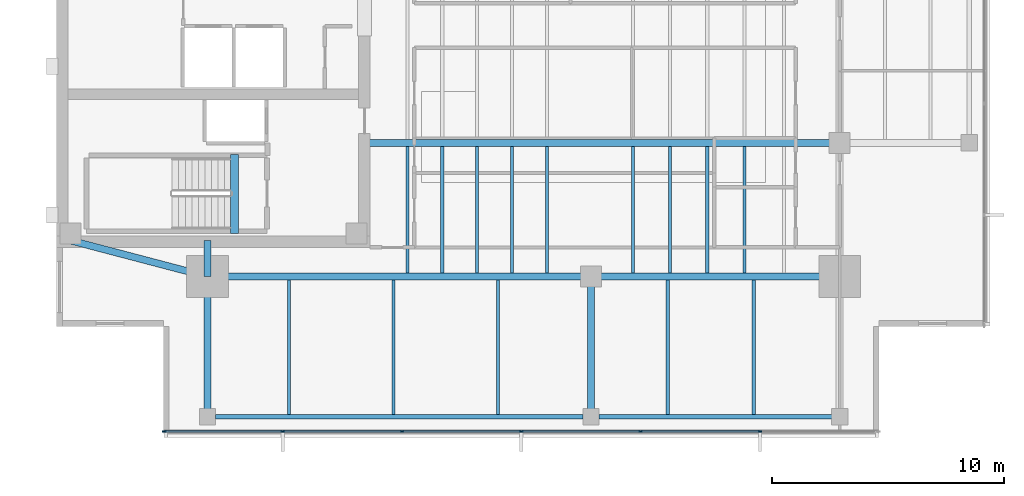
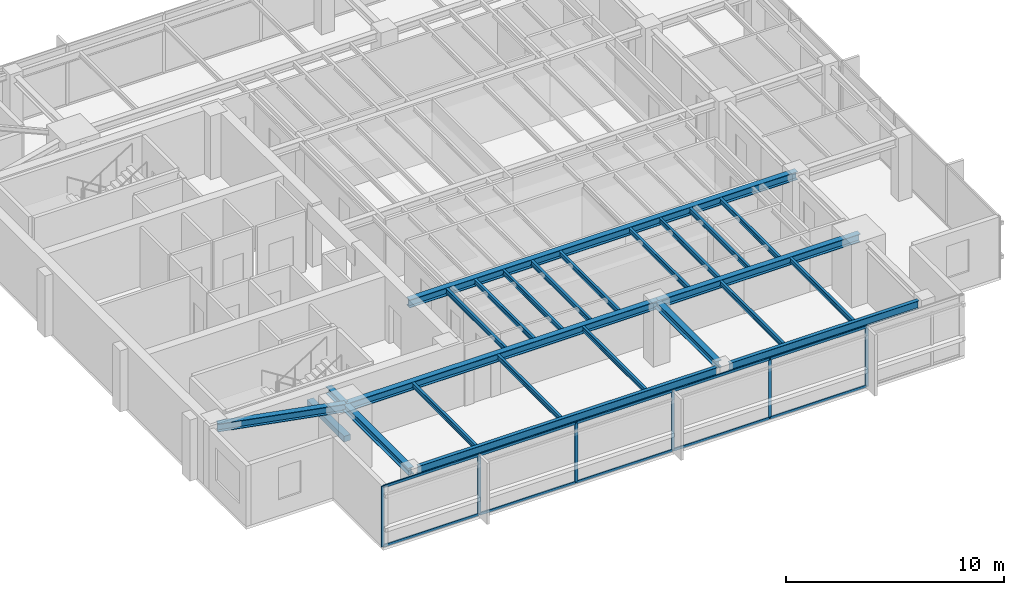
# One storey, part 2 of 14: 24 beams, 16 members, 1 element without a shape of its own.
"""IFC4 building model written with IfcOpenShell, lengths in metres."""

from ifc_helpers import new_model, si_unit, direction, frame, origin, origin_2d, place, context, subcontext, project, spatial, rectangle, i_section, extrude, material, layer, layer_set, material_profile, profile_set, type_object, element, aggregate, save


model = new_model("IFC4")

# Units and contexts
model_context = context("Model", 3, precision=1e-05, world=origin(), true_north=direction((0.0, 1.0)))
body_context = subcontext(model_context, "Body", "Model", "MODEL_VIEW")
ifc_project = project(units=[si_unit("LENGTHUNIT", "METRE"), si_unit("AREAUNIT", "SQUARE_METRE"), si_unit("VOLUMEUNIT", "CUBIC_METRE"), si_unit("PLANEANGLEUNIT", "RADIAN"), si_unit("MASSUNIT", "GRAM", prefix="KILO")], contexts=[model_context])

# Site, building, storey
site_placement = place(None, origin())
site = spatial("IfcSite", under=ifc_project, at=site_placement, CompositionType="ELEMENT")
building_placement = place(site_placement, origin())
building = spatial("IfcBuilding", under=site, at=building_placement, Name="Kinhvarn Gate Tower", CompositionType="ELEMENT")
storey_placement = place(building_placement, frame((0.0, 0.0, 252.800048828125)))
storey = spatial("IfcBuildingStorey", under=building, at=storey_placement, Name="L67", CompositionType="ELEMENT", Elevation=252.800048828125)

# Beam
ifc_material_1 = material(Name="Concrete C50/60", Category="concrete")
ifc_material_profile_1 = material_profile(ifc_material_1, rectangle(XDim=0.340087890625, YDim=0.320068359375, at=origin_2d()), Name="RC 340x320")
ifc_profile_set_1 = profile_set([ifc_material_profile_1], Name="Concrete C50/60")
beam_type_1 = type_object("IfcBeamType", Name="BM-LND-500", PredefinedType="BEAM", material=ifc_profile_set_1)
beam_1_placement = place(storey_placement, frame((12.1650390625, 14.60009765625, -0.16015625), z_axis=(0.0, 1.0, 0.0), x_axis=(-1.0, 0.0, 0.0)))
element("IfcBeam", 1, at=beam_1_placement, inside=storey, type_object=beam_type_1, Name="Stair ST1 Landing Nosing Beam (L67)", PredefinedType="BEAM", context=body_context, shape_type="SweptSolid", body=[
    extrude(rectangle(XDim=0.340087890625, YDim=0.320068359375, at=origin_2d()), origin(), (0.0, 0.0, 1.0), 3.39990234375),
])

# Curtain wall, members
ifc_material_2 = material(Name="Anodised aluminium AW-6063", Category="aluminium")
ifc_layer = layer(ifc_material_2, 0.179931640625)
ifc_layer_set = layer_set([ifc_layer], Name="Anodised aluminium AW-6063")
curtain_wall_type = type_object("IfcCurtainWallType", Name="CW-SYS-3", PredefinedType="NOTDEFINED", material=ifc_layer_set)
curtain_wall_placement = place(storey_placement, origin())
curtain_wall = element("IfcCurtainWall", 2, at=curtain_wall_placement, inside=storey, type_object=curtain_wall_type, Name="Curtain Wall CW3 (L67)", PredefinedType="NOTDEFINED")
ifc_material_profile_2 = material_profile(ifc_material_2, rectangle(XDim=0.06494140625, YDim=0.159912109375, at=origin_2d()), Name="ALU 65x160")
ifc_profile_set_2 = profile_set([ifc_material_profile_2], Name="Anodised aluminium AW-6063")
member_type_1 = type_object("IfcMemberType", Name="CW-MUL-160", PredefinedType="MULLION", material=ifc_profile_set_2)
member_1_placement = place(storey_placement, frame((9.132568359375, 6.090087890625, 0.0), z_axis=(0.0, 0.0, 1.0), x_axis=(0.0, 1.0, 0.0)))
member_1 = element("IfcMember", 3, at=member_1_placement, type_object=member_type_1, Name="CW3 mullion 1", PredefinedType="MULLION", context=body_context, shape_type="SweptSolid", body=[
    extrude(rectangle(XDim=0.06494140625, YDim=0.159912109375, at=origin_2d()), origin(), (0.0, 0.0, 1.0), 3.389892578125),
])
member_2_placement = place(storey_placement, frame((14.2333984375, 6.090087890625, 0.0), z_axis=(0.0, 0.0, 1.0), x_axis=(0.0, 1.0, 0.0)))
member_2 = element("IfcMember", 4, at=member_2_placement, type_object=member_type_1, Name="CW3 mullion 2", PredefinedType="MULLION", context=body_context, shape_type="SweptSolid", body=[
    extrude(rectangle(XDim=0.06494140625, YDim=0.159912109375, at=origin_2d()), origin(), (0.0, 0.0, 1.0), 3.389892578125),
])
member_3_placement = place(storey_placement, frame((19.36669921875, 6.090087890625, 0.0), z_axis=(0.0, 0.0, 1.0), x_axis=(0.0, 1.0, 0.0)))
member_3 = element("IfcMember", 5, at=member_3_placement, type_object=member_type_1, Name="CW3 mullion 3", PredefinedType="MULLION", context=body_context, shape_type="SweptSolid", body=[
    extrude(rectangle(XDim=0.06494140625, YDim=0.159912109375, at=origin_2d()), origin(), (0.0, 0.0, 1.0), 3.389892578125),
])
member_4_placement = place(storey_placement, frame((24.5, 6.090087890625, 0.0), z_axis=(0.0, 0.0, 1.0), x_axis=(0.0, 1.0, 0.0)))
member_4 = element("IfcMember", 6, at=member_4_placement, type_object=member_type_1, Name="CW3 mullion 4", PredefinedType="MULLION", context=body_context, shape_type="SweptSolid", body=[
    extrude(rectangle(XDim=0.06494140625, YDim=0.159912109375, at=origin_2d()), origin(), (0.0, 0.0, 1.0), 3.389892578125),
])
member_5_placement = place(storey_placement, frame((29.63330078125, 6.090087890625, 0.0), z_axis=(0.0, 0.0, 1.0), x_axis=(0.0, 1.0, 0.0)))
member_5 = element("IfcMember", 7, at=member_5_placement, type_object=member_type_1, Name="CW3 mullion 5", PredefinedType="MULLION", context=body_context, shape_type="SweptSolid", body=[
    extrude(rectangle(XDim=0.06494140625, YDim=0.159912109375, at=origin_2d()), origin(), (0.0, 0.0, 1.0), 3.389892578125),
])
member_6_placement = place(storey_placement, frame((34.7666015625, 6.090087890625, 0.0), z_axis=(0.0, 0.0, 1.0), x_axis=(0.0, 1.0, 0.0)))
member_6 = element("IfcMember", 8, at=member_6_placement, type_object=member_type_1, Name="CW3 mullion 6", PredefinedType="MULLION", context=body_context, shape_type="SweptSolid", body=[
    extrude(rectangle(XDim=0.06494140625, YDim=0.159912109375, at=origin_2d()), origin(), (0.0, 0.0, 1.0), 3.389892578125),
])
ifc_material_profile_3 = material_profile(ifc_material_2, rectangle(XDim=0.070068359375, YDim=0.139892578125, at=origin_2d()), Name="ALU 70x140")
ifc_profile_set_3 = profile_set([ifc_material_profile_3], Name="Anodised aluminium AW-6063")
member_type_2 = type_object("IfcMemberType", Name="CW-TRN-140", PredefinedType="USERDEFINED", material=ifc_profile_set_3)
member_7_placement = place(storey_placement, frame((9.1650390625, 6.090087890625, 0.034912109375), z_axis=(1.0, 0.0, 0.0), x_axis=(0.0, 1.0, 0.0)))
member_7 = element("IfcMember", 9, at=member_7_placement, type_object=member_type_2, Name="CW3 transom 1.1", ObjectType="TRANSOM", PredefinedType="USERDEFINED", context=body_context, shape_type="SweptSolid", body=[
    extrude(rectangle(XDim=0.070068359375, YDim=0.139892578125, at=origin_2d()), origin(), (0.0, 0.0, 1.0), 5.035888671875),
])
member_8_placement = place(storey_placement, frame((9.1650390625, 6.090087890625, 3.35498046875), z_axis=(1.0, 0.0, 0.0), x_axis=(0.0, 1.0, 0.0)))
member_8 = element("IfcMember", 10, at=member_8_placement, type_object=member_type_2, Name="CW3 transom 1.2", ObjectType="TRANSOM", PredefinedType="USERDEFINED", context=body_context, shape_type="SweptSolid", body=[
    extrude(rectangle(XDim=0.070068359375, YDim=0.139892578125, at=origin_2d()), origin(), (0.0, 0.0, 1.0), 5.035888671875),
])
member_9_placement = place(storey_placement, frame((14.265869140625, 6.090087890625, 0.034912109375), z_axis=(1.0, 0.0, 0.0), x_axis=(0.0, 1.0, 0.0)))
member_9 = element("IfcMember", 11, at=member_9_placement, type_object=member_type_2, Name="CW3 transom 2.1", ObjectType="TRANSOM", PredefinedType="USERDEFINED", context=body_context, shape_type="SweptSolid", body=[
    extrude(rectangle(XDim=0.070068359375, YDim=0.139892578125, at=origin_2d()), origin(), (0.0, 0.0, 1.0), 5.068359375),
])
member_10_placement = place(storey_placement, frame((14.265869140625, 6.090087890625, 3.35498046875), z_axis=(1.0, 0.0, 0.0), x_axis=(0.0, 1.0, 0.0)))
member_10 = element("IfcMember", 12, at=member_10_placement, type_object=member_type_2, Name="CW3 transom 2.2", ObjectType="TRANSOM", PredefinedType="USERDEFINED", context=body_context, shape_type="SweptSolid", body=[
    extrude(rectangle(XDim=0.070068359375, YDim=0.139892578125, at=origin_2d()), origin(), (0.0, 0.0, 1.0), 5.068359375),
])
member_11_placement = place(storey_placement, frame((19.399169921875, 6.090087890625, 0.034912109375), z_axis=(1.0, 0.0, 0.0), x_axis=(0.0, 1.0, 0.0)))
member_11 = element("IfcMember", 13, at=member_11_placement, type_object=member_type_2, Name="CW3 transom 3.1", ObjectType="TRANSOM", PredefinedType="USERDEFINED", context=body_context, shape_type="SweptSolid", body=[
    extrude(rectangle(XDim=0.070068359375, YDim=0.139892578125, at=origin_2d()), origin(), (0.0, 0.0, 1.0), 5.068359375),
])
member_12_placement = place(storey_placement, frame((19.399169921875, 6.090087890625, 3.35498046875), z_axis=(1.0, 0.0, 0.0), x_axis=(0.0, 1.0, 0.0)))
member_12 = element("IfcMember", 14, at=member_12_placement, type_object=member_type_2, Name="CW3 transom 3.2", ObjectType="TRANSOM", PredefinedType="USERDEFINED", context=body_context, shape_type="SweptSolid", body=[
    extrude(rectangle(XDim=0.070068359375, YDim=0.139892578125, at=origin_2d()), origin(), (0.0, 0.0, 1.0), 5.068359375),
])
member_13_placement = place(storey_placement, frame((24.532470703125, 6.090087890625, 0.034912109375), z_axis=(1.0, 0.0, 0.0), x_axis=(0.0, 1.0, 0.0)))
member_13 = element("IfcMember", 15, at=member_13_placement, type_object=member_type_2, Name="CW3 transom 4.1", ObjectType="TRANSOM", PredefinedType="USERDEFINED", context=body_context, shape_type="SweptSolid", body=[
    extrude(rectangle(XDim=0.070068359375, YDim=0.139892578125, at=origin_2d()), origin(), (0.0, 0.0, 1.0), 5.068359375),
])
member_14_placement = place(storey_placement, frame((24.532470703125, 6.090087890625, 3.35498046875), z_axis=(1.0, 0.0, 0.0), x_axis=(0.0, 1.0, 0.0)))
member_14 = element("IfcMember", 16, at=member_14_placement, type_object=member_type_2, Name="CW3 transom 4.2", ObjectType="TRANSOM", PredefinedType="USERDEFINED", context=body_context, shape_type="SweptSolid", body=[
    extrude(rectangle(XDim=0.070068359375, YDim=0.139892578125, at=origin_2d()), origin(), (0.0, 0.0, 1.0), 5.068359375),
])
member_15_placement = place(storey_placement, frame((29.665771484375, 6.090087890625, 0.034912109375), z_axis=(1.0, 0.0, 0.0), x_axis=(0.0, 1.0, 0.0)))
member_15 = element("IfcMember", 17, at=member_15_placement, type_object=member_type_2, Name="CW3 transom 5.1", ObjectType="TRANSOM", PredefinedType="USERDEFINED", context=body_context, shape_type="SweptSolid", body=[
    extrude(rectangle(XDim=0.070068359375, YDim=0.139892578125, at=origin_2d()), origin(), (0.0, 0.0, 1.0), 5.068359375),
])
member_16_placement = place(storey_placement, frame((29.665771484375, 6.090087890625, 3.35498046875), z_axis=(1.0, 0.0, 0.0), x_axis=(0.0, 1.0, 0.0)))
member_16 = element("IfcMember", 18, at=member_16_placement, type_object=member_type_2, Name="CW3 transom 5.2", ObjectType="TRANSOM", PredefinedType="USERDEFINED", context=body_context, shape_type="SweptSolid", body=[
    extrude(rectangle(XDim=0.070068359375, YDim=0.139892578125, at=origin_2d()), origin(), (0.0, 0.0, 1.0), 5.068359375),
])
aggregate(curtain_wall, [member_1, member_2, member_3, member_4, member_5, member_6, member_7, member_8, member_9, member_10, member_11, member_12, member_13, member_14, member_15, member_16])

# Beams
ifc_material_3 = material(Name="Steel S355", Category="steel")
ifc_material_profile_4 = material_profile(ifc_material_3, i_section(OverallWidth=0.300048828125, OverallDepth=0.39990234375, WebThickness=0.013427734375, FlangeThickness=0.02392578125, at=origin_2d()), Name="HEB 400")
ifc_profile_set_4 = profile_set([ifc_material_profile_4], Name="Steel S355")
beam_type_2 = type_object("IfcBeamType", Name="STL-HEB400", PredefinedType="BEAM", material=ifc_profile_set_4)
beam_2_placement = place(storey_placement, frame((11.0, 6.719970703125, 3.18994140625), z_axis=(0.0, 1.0, 0.0), x_axis=(-1.0, 0.0, 0.0)))
element("IfcBeam", 19, at=beam_2_placement, inside=storey, type_object=beam_type_2, Name="Floor Beam PG-12 (L67 MCW-S)", PredefinedType="BEAM", context=body_context, shape_type="SweptSolid", body=[
    extrude(i_section(OverallWidth=0.300048828125, OverallDepth=0.39990234375, WebThickness=0.013427734375, FlangeThickness=0.02392578125, at=origin_2d()), origin(), (0.0, 0.0, 1.0), 6.030029296875),
])
beam_3_placement = place(storey_placement, frame((11.0, 12.75, 3.18994140625), z_axis=(0.0, 1.0, 0.0), x_axis=(-1.0, 0.0, 0.0)))
element("IfcBeam", 20, at=beam_3_placement, inside=storey, type_object=beam_type_2, Name="Floor Beam PG-12 (L67 MCW-CS)", PredefinedType="BEAM", context=body_context, shape_type="SweptSolid", body=[
    extrude(i_section(OverallWidth=0.300048828125, OverallDepth=0.39990234375, WebThickness=0.013427734375, FlangeThickness=0.02392578125, at=origin_2d()), origin(), (0.0, 0.0, 1.0), 1.550048828125),
])
beam_4_placement = place(storey_placement, frame((27.5, 7.054931640625, 3.18994140625), z_axis=(0.0, 1.0, 0.0), x_axis=(-1.0, 0.0, 0.0)))
element("IfcBeam", 21, at=beam_4_placement, inside=storey, type_object=beam_type_2, Name="Floor Beam PG-12 (L67 SP27-S-TIE)", PredefinedType="BEAM", context=body_context, shape_type="SweptSolid", body=[
    extrude(i_section(OverallWidth=0.300048828125, OverallDepth=0.39990234375, WebThickness=0.013427734375, FlangeThickness=0.02392578125, at=origin_2d()), origin(), (0.0, 0.0, 1.0), 5.695068359375),
])
ifc_material_profile_5 = material_profile(ifc_material_3, i_section(OverallWidth=0.300048828125, OverallDepth=0.449951171875, WebThickness=0.013916015625, FlangeThickness=0.02587890625, at=origin_2d()), Name="HEB 450")
ifc_profile_set_5 = profile_set([ifc_material_profile_5], Name="Steel S355")
beam_type_3 = type_object("IfcBeamType", Name="STL-HEB450", PredefinedType="BEAM", material=ifc_profile_set_5)
beam_5_placement = place(storey_placement, frame((11.0, 12.75, 3.1650390625), z_axis=(1.0, 0.0, 0.0), x_axis=(0.0, 1.0, 0.0)))
element("IfcBeam", 22, at=beam_5_placement, inside=storey, type_object=beam_type_3, Name="Floor Beam PG-13 (L67 MG-S1)", PredefinedType="BEAM", context=body_context, shape_type="SweptSolid", body=[
    extrude(i_section(OverallWidth=0.300048828125, OverallDepth=0.449951171875, WebThickness=0.013916015625, FlangeThickness=0.02587890625, at=origin_2d()), origin(), (0.0, 0.0, 1.0), 16.5),
])
beam_6_placement = place(storey_placement, frame((27.5, 12.75, 3.1650390625), z_axis=(1.0, 0.0, 0.0), x_axis=(0.0, 1.0, 0.0)))
element("IfcBeam", 23, at=beam_6_placement, inside=storey, type_object=beam_type_3, Name="Floor Beam PG-13 (L67 MG-S2)", PredefinedType="BEAM", context=body_context, shape_type="SweptSolid", body=[
    extrude(i_section(OverallWidth=0.300048828125, OverallDepth=0.449951171875, WebThickness=0.013916015625, FlangeThickness=0.02587890625, at=origin_2d()), origin(), (0.0, 0.0, 1.0), 10.699951171875),
])
beam_7_placement = place(storey_placement, frame((5.10009765625, 14.300048828125, 3.1650390625), z_axis=(0.967177623957, -0.254101246979, 0.0), x_axis=(0.254101246979, 0.967177623957, 0.0)))
element("IfcBeam", 24, at=beam_7_placement, inside=storey, type_object=beam_type_3, Name="Floor Beam PG-13 (L67 MG-SW-DIAG)", PredefinedType="BEAM", context=body_context, shape_type="SweptSolid", body=[
    extrude(i_section(OverallWidth=0.300048828125, OverallDepth=0.449951171875, WebThickness=0.013916015625, FlangeThickness=0.02587890625, at=origin_2d()), origin(), (0.0, 0.0, 1.0), 6.10009765625),
])
beam_8_placement = place(storey_placement, frame((17.64990234375, 18.5, 3.1650390625), z_axis=(1.0, 0.0, 0.0), x_axis=(0.0, 1.0, 0.0)))
element("IfcBeam", 25, at=beam_8_placement, inside=storey, type_object=beam_type_3, Name="Floor Beam PG-13 (L67 EW1-Y18)", PredefinedType="BEAM", context=body_context, shape_type="SweptSolid", body=[
    extrude(i_section(OverallWidth=0.300048828125, OverallDepth=0.449951171875, WebThickness=0.013916015625, FlangeThickness=0.02587890625, at=origin_2d()), origin(), (0.0, 0.0, 1.0), 20.550048828125),
])
ifc_material_profile_6 = material_profile(ifc_material_3, i_section(OverallWidth=0.135009765625, OverallDepth=0.27001953125, WebThickness=0.006591796875, FlangeThickness=0.01025390625, at=origin_2d()), Name="IPE 270")
ifc_profile_set_6 = profile_set([ifc_material_profile_6], Name="Steel S355")
beam_type_4 = type_object("IfcBeamType", Name="STL-IPE270", PredefinedType="JOIST", material=ifc_profile_set_6)
for number, where, z_axis, x_axis, name in (
    (26, (19.60009765625, 12.89990234375, 3.2548828125), (0.0, 1.0, 0.0), (-1.0, 0.0, 0.0), "Floor Joist SB-01 (L67 JC-X196-0)"),
    (27, (21.10009765625, 12.89990234375, 3.2548828125), (0.0, 1.0, 0.0), (-1.0, 0.0, 0.0), "Floor Joist SB-01 (L67 JC-X211-0)"),
    (28, (22.60009765625, 12.89990234375, 3.2548828125), (0.0, 1.0, 0.0), (-1.0, 0.0, 0.0), "Floor Joist SB-01 (L67 JC-X226-0)"),
    (29, (24.10009765625, 12.89990234375, 3.2548828125), (0.0, 1.0, 0.0), (-1.0, 0.0, 0.0), "Floor Joist SB-01 (L67 JC-X241-0)"),
    (30, (25.60009765625, 12.89990234375, 3.2548828125), (0.0, 1.0, 0.0), (-1.0, 0.0, 0.0), "Floor Joist SB-01 (L67 JC-X256-0)"),
    (31, (29.300048828125, 12.89990234375, 3.2548828125), (0.0, 1.0, 0.0), (-1.0, 0.0, 0.0), "Floor Joist SB-01 (L67 JC-X293-0)"),
    (32, (30.89990234375, 12.89990234375, 3.2548828125), (0.0, 1.0, 0.0), (-1.0, 0.0, 0.0), "Floor Joist SB-01 (L67 JC-X309-0)"),
    (33, (32.5, 12.89990234375, 3.2548828125), (0.0, 1.0, 0.0), (-1.0, 0.0, 0.0), "Floor Joist SB-01 (L67 JC-X325-0)"),
    (34, (34.10009765625, 12.89990234375, 3.2548828125), (0.0, 1.0, 0.0), (-1.0, 0.0, 0.0), "Floor Joist SB-01 (L67 JC-X341-0)"),
):
    element("IfcBeam", number, at=place(storey_placement, frame(where, z_axis=z_axis, x_axis=x_axis)), inside=storey, type_object=beam_type_4, Name=name, PredefinedType="JOIST", context=body_context, shape_type="SweptSolid", body=[
        extrude(i_section(OverallWidth=0.135009765625, OverallDepth=0.27001953125, WebThickness=0.006591796875, FlangeThickness=0.01025390625, at=origin_2d()), origin(), (0.0, 0.0, 1.0), 5.4501953125),
    ])
for number, where, z_axis, x_axis, name in (
    (35, (14.5, 6.81494140625, 3.2548828125), (0.0, 1.0, 0.0), (-1.0, 0.0, 0.0), "Floor Joist SB-01 (L67 JS-X145)"),
    (36, (19.0, 6.81494140625, 3.2548828125), (0.0, 1.0, 0.0), (-1.0, 0.0, 0.0), "Floor Joist SB-01 (L67 JS-X190)"),
    (37, (23.5, 6.81494140625, 3.2548828125), (0.0, 1.0, 0.0), (-1.0, 0.0, 0.0), "Floor Joist SB-01 (L67 JS-X235)"),
    (38, (30.800048828125, 6.81494140625, 3.2548828125), (0.0, 1.0, 0.0), (-1.0, 0.0, 0.0), "Floor Joist SB-01 (L67 JS-X308)"),
    (39, (34.5, 6.81494140625, 3.2548828125), (0.0, 1.0, 0.0), (-1.0, 0.0, 0.0), "Floor Joist SB-01 (L67 JS-X345)"),
):
    element("IfcBeam", number, at=place(storey_placement, frame(where, z_axis=z_axis, x_axis=x_axis)), inside=storey, type_object=beam_type_4, Name=name, PredefinedType="JOIST", context=body_context, shape_type="SweptSolid", body=[
        extrude(i_section(OverallWidth=0.135009765625, OverallDepth=0.27001953125, WebThickness=0.006591796875, FlangeThickness=0.01025390625, at=origin_2d()), origin(), (0.0, 0.0, 1.0), 5.78515625),
    ])
ifc_material_profile_7 = material_profile(ifc_material_3, i_section(OverallWidth=0.18994140625, OverallDepth=0.449951171875, WebThickness=0.009521484375, FlangeThickness=0.0146484375, at=origin_2d()), Name="IPE 450")
ifc_profile_set_7 = profile_set([ifc_material_profile_7], Name="Steel S355")
beam_type_5 = type_object("IfcBeamType", Name="STL-IPE450", PredefinedType="JOIST", material=ifc_profile_set_7)
beam_9_placement = place(storey_placement, frame((11.3349609375, 6.719970703125, 3.1650390625), z_axis=(1.0, 0.0, 0.0), x_axis=(0.0, 1.0, 0.0)))
element("IfcBeam", 40, at=beam_9_placement, inside=storey, type_object=beam_type_5, Name="Floor Joist SB-06 (L67 SP-S1)", PredefinedType="JOIST", context=body_context, shape_type="SweptSolid", body=[
    extrude(i_section(OverallWidth=0.18994140625, OverallDepth=0.449951171875, WebThickness=0.009521484375, FlangeThickness=0.0146484375, at=origin_2d()), origin(), (0.0, 0.0, 1.0), 15.830078125),
])
beam_10_placement = place(storey_placement, frame((27.8349609375, 6.719970703125, 3.1650390625), z_axis=(1.0, 0.0, 0.0), x_axis=(0.0, 1.0, 0.0)))
element("IfcBeam", 41, at=beam_10_placement, inside=storey, type_object=beam_type_5, Name="Floor Joist SB-06 (L67 SP-S2)", PredefinedType="JOIST", context=body_context, shape_type="SweptSolid", body=[
    extrude(i_section(OverallWidth=0.18994140625, OverallDepth=0.449951171875, WebThickness=0.009521484375, FlangeThickness=0.0146484375, at=origin_2d()), origin(), (0.0, 0.0, 1.0), 10.030029296875),
])

save(model, "model.ifc")
